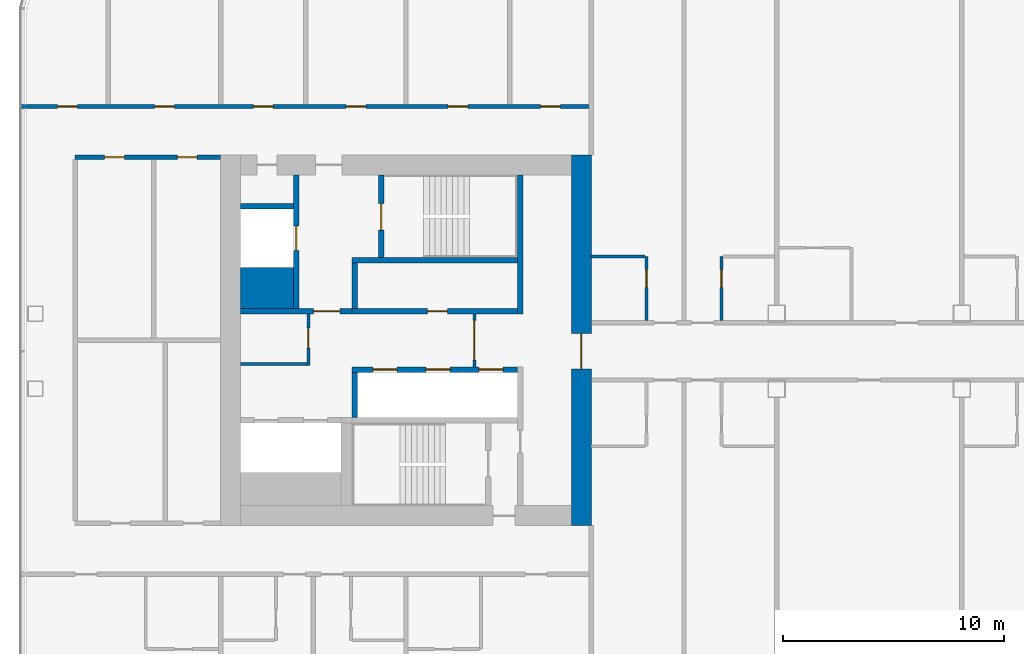
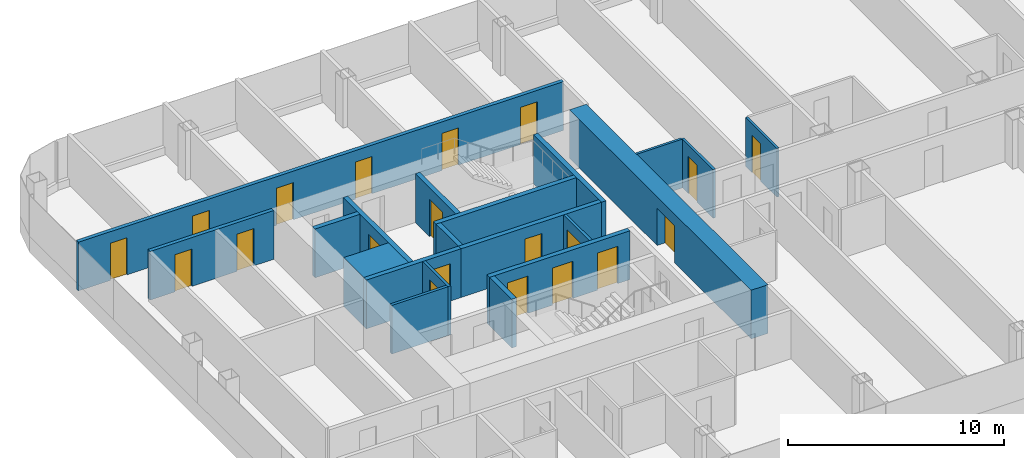
# One storey, part 13 of 26: 20 doors, 20 walls, 20 openings.
"""IFC4 building model written with IfcOpenShell, lengths in metres."""

from ifc_helpers import new_model, si_unit, direction, frame, frame_2d, origin, place, context, subcontext, project, spatial, rectangle, extrude, material, layer, layer_set, type_object, element, fill, save


model = new_model("IFC4")

# Units and contexts
model_context = context("Model", 3, precision=1e-05, world=origin(), true_north=direction((0.0, 1.0)))
body_context = subcontext(model_context, "Body", "Model", "MODEL_VIEW")
ifc_project = project(units=[si_unit("LENGTHUNIT", "METRE"), si_unit("AREAUNIT", "SQUARE_METRE"), si_unit("VOLUMEUNIT", "CUBIC_METRE"), si_unit("PLANEANGLEUNIT", "RADIAN"), si_unit("MASSUNIT", "GRAM", prefix="KILO")], contexts=[model_context])

# Site, building, storey
site_placement = place(None, origin())
site = spatial("IfcSite", under=ifc_project, at=site_placement, CompositionType="ELEMENT")
building_placement = place(site_placement, origin())
building = spatial("IfcBuilding", under=site, at=building_placement, Name="Hakoniwa Tower and Hamabe Station Hall", CompositionType="ELEMENT")
storey_placement = place(building_placement, frame((0.0, 0.0, 140.60009765625)))
storey = spatial("IfcBuildingStorey", under=building, at=storey_placement, Name="L39", CompositionType="ELEMENT", Elevation=140.60009765625)

# Wall
ifc_material_1 = material(Name="Gypsum board partition", Category="gypsum")
ifc_layer_1 = layer(ifc_material_1, 0.125)
ifc_layer_set_1 = layer_set([ifc_layer_1], Name="Bathroom Partition 125")
wall_type_1 = type_object("IfcWallType", Name="Bathroom Partition 125", PredefinedType="PARTITIONING", material=ifc_layer_set_1)
wall_1_placement = place(storey_placement, frame((-16.81005859375, 3.800048828125, 0.0), z_axis=(0.0, 0.0, 1.0), x_axis=(1.0, 0.0, 0.0)))
element("IfcWall", 1, at=wall_1_placement, inside=storey, type_object=wall_type_1, Name="GW-L39-023", PredefinedType="PARTITIONING", context=body_context, shape_type="SweptSolid", body=[
    extrude(rectangle(XDim=2.447509765625, YDim=0.125, at=frame_2d((1.2236328125, 0.0))), origin(), (0.0, 0.0, 1.0), 2.75),
])

# Wall, opening, door
wall_2_placement = place(storey_placement, frame((-14.300048828125, 0.89990234375, 0.0), z_axis=(0.0, 0.0, 1.0), x_axis=(0.0, 1.0, 0.0)))
wall_2 = element("IfcWall", 2, at=wall_2_placement, inside=storey, type_object=wall_type_1, Name="GW-L39-051", PredefinedType="PARTITIONING", context=body_context, shape_type="SweptSolid", body=[
    extrude(rectangle(XDim=2.900146484375, YDim=0.125, at=frame_2d((1.4501953125, 0.0))), origin(), (0.0, 0.0, 1.0), 2.75),
])
opening_1_placement = place(wall_2_placement, frame((1.5, 0.0, 0.0)))
opening_1 = element("IfcOpeningElement", 3, at=opening_1_placement, cuts=wall_2, Name="Opening GD-G3D0-47", PredefinedType="OPENING", context=body_context, shape_type="SweptSolid", body=[
    extrude(rectangle(XDim=0.800048828125, YDim=2.10009765625, at=frame_2d((0.39990234375, 1.050048828125))), frame((0.0, 0.072509765625, 0.0), z_axis=(0.0, -1.0, 0.0), x_axis=(1.0, 0.0, 0.0)), (0.0, 0.0, 1.0), 0.14501953125),
])
ifc_material_2 = material(Name="Timber door leaf", Category="wood")
door_type_1 = type_object("IfcDoorType", Name="Bathroom Door 800", OperationType="SINGLE_SWING_LEFT", PredefinedType="DOOR", material=ifc_material_2)
door_1_placement = place(opening_1_placement, origin())
door_1 = element("IfcDoor", 4, at=door_1_placement, inside=storey, type_object=door_type_1, Name="Door GD-G3D0-47", OperationType="SINGLE_SWING_LEFT", OverallHeight=2.10009765625, OverallWidth=0.800048828125, PredefinedType="DOOR", context=body_context, shape_type="SweptSolid", body=[
    extrude(rectangle(XDim=0.800048828125, YDim=2.10009765625, at=frame_2d((0.39990234375, 1.050048828125))), frame((0.0, 0.02490234375, 0.0), z_axis=(0.0, -1.0, 0.0), x_axis=(1.0, 0.0, 0.0)), (0.0, 0.0, 1.0), 0.050048828125),
])
fill(opening_1, door_1)

wall_3_placement = place(storey_placement, frame((-10.89990234375, 0.89990234375, 0.0), z_axis=(0.0, 0.0, 1.0), x_axis=(0.0, 1.0, 0.0)))
wall_3 = element("IfcWall", 5, at=wall_3_placement, inside=storey, type_object=wall_type_1, Name="GW-L39-055", PredefinedType="PARTITIONING", context=body_context, shape_type="SweptSolid", body=[
    extrude(rectangle(XDim=2.900146484375, YDim=0.125, at=frame_2d((1.4501953125, 0.0))), origin(), (0.0, 0.0, 1.0), 2.75),
])
opening_2_placement = place(wall_3_placement, frame((1.5, 0.0, 0.0)))
opening_2 = element("IfcOpeningElement", 6, at=opening_2_placement, cuts=wall_3, Name="Opening GD-G3D0-49", PredefinedType="OPENING", context=body_context, shape_type="SweptSolid", body=[
    extrude(rectangle(XDim=0.800048828125, YDim=2.10009765625, at=frame_2d((0.39990234375, 1.050048828125))), frame((0.0, 0.072509765625, 0.0), z_axis=(0.0, -1.0, 0.0), x_axis=(1.0, 0.0, 0.0)), (0.0, 0.0, 1.0), 0.14501953125),
])
door_2_placement = place(opening_2_placement, origin())
door_2 = element("IfcDoor", 7, at=door_2_placement, inside=storey, type_object=door_type_1, Name="Door GD-G3D0-49", OperationType="SINGLE_SWING_RIGHT", OverallHeight=2.10009765625, OverallWidth=0.800048828125, PredefinedType="DOOR", context=body_context, shape_type="SweptSolid", body=[
    extrude(rectangle(XDim=0.800048828125, YDim=2.10009765625, at=frame_2d((0.39990234375, 1.050048828125))), frame((0.0, 0.02490234375, 0.0), z_axis=(0.0, -1.0, 0.0), x_axis=(1.0, 0.0, 0.0)), (0.0, 0.0, 1.0), 0.050048828125),
])
fill(opening_2, door_2)

ifc_material_3 = material(Name="Gypsum board partition")
ifc_layer_2 = layer(ifc_material_3, 0.14990234375)
ifc_layer_set_2 = layer_set([ifc_layer_2], Name="CORE PARTITION 150 EI 60")
wall_type_2 = type_object("IfcWallType", Name="CORE PARTITION 150 EI 60", PredefinedType="PARTITIONING", material=ifc_layer_set_2)
wall_4_placement = place(storey_placement, frame((-22.10009765625, -1.199951171875, 0.0), z_axis=(0.0, 0.0, 1.0), x_axis=(0.0, 1.0, 0.0)))
wall_4 = element("IfcWall", 8, at=wall_4_placement, inside=storey, type_object=wall_type_2, Name="Core partition PL0 west", PredefinedType="PARTITIONING", context=body_context, shape_type="SweptSolid", body=[
    extrude(rectangle(XDim=2.39990234375, YDim=0.14990234375, at=frame_2d((1.199951171875, 0.0))), origin(), (0.0, 0.0, 1.0), 2.75),
])
opening_3_placement = place(wall_4_placement, frame((0.300048828125, 0.0, 0.0)))
opening_3 = element("IfcOpeningElement", 9, at=opening_3_placement, cuts=wall_4, Name="Opening CD-W-LP0-18", PredefinedType="OPENING", context=body_context, shape_type="SweptSolid", body=[
    extrude(rectangle(XDim=1.800048828125, YDim=2.10009765625, at=frame_2d((0.89990234375, 1.050048828125))), frame((0.0, 0.0849609375, 0.0), z_axis=(0.0, -1.0, 0.0), x_axis=(1.0, 0.0, 0.0)), (0.0, 0.0, 1.0), 0.169921875),
])
ifc_material_4 = material(Name="Steel fire door", Category="steel")
door_type_2 = type_object("IfcDoorType", Name="CORE DOOR 1800 FD60", OperationType="DOUBLE_DOOR_SINGLE_SWING", PredefinedType="DOOR", material=ifc_material_4)
door_3_placement = place(opening_3_placement, origin())
door_3 = element("IfcDoor", 10, at=door_3_placement, inside=storey, type_object=door_type_2, Name="Lift lobby partition door", OperationType="DOUBLE_DOOR_SINGLE_SWING", OverallHeight=2.10009765625, OverallWidth=1.800048828125, PredefinedType="DOOR", context=body_context, shape_type="SweptSolid", body=[
    extrude(rectangle(XDim=1.800048828125, YDim=2.10009765625, at=frame_2d((0.89990234375, 1.050048828125))), frame((0.0, 0.02490234375, 0.0), z_axis=(0.0, -1.0, 0.0), x_axis=(1.0, 0.0, 0.0)), (0.0, 0.0, 1.0), 0.050048828125),
])
fill(opening_3, door_3)

wall_5_placement = place(storey_placement, frame((-29.625, -1.14990234375, 0.0), z_axis=(0.0, 0.0, 1.0), x_axis=(0.0, 1.0, 0.0)))
wall_5 = element("IfcWall", 11, at=wall_5_placement, inside=storey, type_object=wall_type_2, Name="Core partition PW0 west", PredefinedType="PARTITIONING", context=body_context, shape_type="SweptSolid", body=[
    extrude(rectangle(XDim=2.349853515625, YDim=0.14990234375, at=frame_2d((1.1748046875, 0.0))), origin(), (0.0, 0.0, 1.0), 2.75),
])
opening_4_placement = place(wall_5_placement, frame((0.800048828125, 0.0, 0.0)))
opening_4 = element("IfcOpeningElement", 12, at=opening_4_placement, cuts=wall_5, Name="Opening CD-W-RM1-9", PredefinedType="OPENING", context=body_context, shape_type="SweptSolid", body=[
    extrude(rectangle(XDim=0.89990234375, YDim=2.10009765625, at=frame_2d((0.449951171875, 1.050048828125))), frame((0.0, 0.0849609375, 0.0), z_axis=(0.0, -1.0, 0.0), x_axis=(1.0, 0.0, 0.0)), (0.0, 0.0, 1.0), 0.169921875),
])
ifc_material_5 = material(Name="Steel fire door", Category="steel")
door_type_3 = type_object("IfcDoorType", Name="CORE DOOR 900 FD30", OperationType="NOTDEFINED", PredefinedType="DOOR", material=ifc_material_5)
door_4_placement = place(opening_4_placement, origin())
door_4 = element("IfcDoor", 13, at=door_4_placement, inside=storey, type_object=door_type_3, Name="Store room door", OperationType="SINGLE_SWING_LEFT", OverallHeight=2.10009765625, OverallWidth=0.89990234375, PredefinedType="DOOR", context=body_context, shape_type="SweptSolid", body=[
    extrude(rectangle(XDim=0.89990234375, YDim=2.10009765625, at=frame_2d((0.449951171875, 1.050048828125))), frame((0.0, 0.02490234375, 0.0), z_axis=(0.0, -1.0, 0.0), x_axis=(1.0, 0.0, 0.0)), (0.0, 0.0, 1.0), 0.050048828125),
])
fill(opening_4, door_4)

# Wall
wall_6_placement = place(storey_placement, frame((-32.699951171875, -1.074951171875, 0.0), z_axis=(0.0, 0.0, 1.0), x_axis=(1.0, 0.0, 0.0)))
element("IfcWall", 14, at=wall_6_placement, inside=storey, type_object=wall_type_2, Name="Core partition PS west", PredefinedType="PARTITIONING", context=body_context, shape_type="SweptSolid", body=[
    extrude(rectangle(XDim=3.0, YDim=0.14990234375, at=frame_2d((1.5, 0.0))), origin(), (0.0, 0.0, 1.0), 2.75),
])

# Wall, opening, door
ifc_material_6 = material(Name="Concrete C66", Category="concrete")
ifc_layer_3 = layer(ifc_material_6, 0.89990234375)
ifc_layer_set_3 = layer_set([ifc_layer_3], Name="CORE WALL 900 C66")
wall_type_3 = type_object("IfcWallType", Name="CORE WALL 900 C66", PredefinedType="SHEAR", material=ifc_layer_set_3)
wall_7_placement = place(storey_placement, frame((-17.25, -8.39990234375, 0.0), z_axis=(0.0, 0.0, 1.0), x_axis=(0.0, 1.0, 0.0)))
wall_7 = element("IfcWall", 15, at=wall_7_placement, inside=storey, type_object=wall_type_3, Name="Core wall INNER west", PredefinedType="SHEAR", context=body_context, shape_type="SweptSolid", body=[
    extrude(rectangle(XDim=16.7998046875, YDim=0.89990234375, at=frame_2d((8.39990234375, 0.0))), origin(), (0.0, 0.0, 1.0), 2.75),
])
opening_5_placement = place(wall_7_placement, frame((7.10009765625, 0.0, 0.0)))
opening_5 = element("IfcOpeningElement", 16, at=opening_5_placement, cuts=wall_7, Name="Opening CD-W-IN1-16", PredefinedType="OPENING", context=body_context, shape_type="SweptSolid", body=[
    extrude(rectangle(XDim=1.60009765625, YDim=2.10009765625, at=frame_2d((0.800048828125, 1.050048828125))), frame((0.0, 0.4599609375, 0.0), z_axis=(0.0, -1.0, 0.0), x_axis=(1.0, 0.0, 0.0)), (0.0, 0.0, 1.0), 0.919921875),
])
ifc_material_7 = material(Name="Steel fire door", Category="steel")
door_type_4 = type_object("IfcDoorType", Name="CORE DOOR 1600 FD60", OperationType="DOUBLE_DOOR_SINGLE_SWING", PredefinedType="DOOR", material=ifc_material_7)
door_5_placement = place(opening_5_placement, origin())
door_5 = element("IfcDoor", 17, at=door_5_placement, inside=storey, type_object=door_type_4, Name="Lift lobby door", OperationType="DOUBLE_DOOR_SINGLE_SWING", OverallHeight=2.10009765625, OverallWidth=1.60009765625, PredefinedType="DOOR", context=body_context, shape_type="SweptSolid", body=[
    extrude(rectangle(XDim=1.60009765625, YDim=2.10009765625, at=frame_2d((0.800048828125, 1.050048828125))), frame((0.0, 0.02490234375, 0.0), z_axis=(0.0, -1.0, 0.0), x_axis=(1.0, 0.0, 0.0)), (0.0, 0.0, 1.0), 0.050048828125),
])
fill(opening_5, door_5)

# Walls
ifc_material_8 = material(Name="Concrete C66", Category="concrete")
ifc_layer_4 = layer(ifc_material_8, 1.85009765625)
ifc_layer_set_4 = layer_set([ifc_layer_4], Name="CORE WEB WALL 1850 C66")
wall_type_4 = type_object("IfcWallType", Name="CORE WEB WALL 1850 C66", PredefinedType="SHEAR", material=ifc_layer_set_4)
wall_8_placement = place(storey_placement, frame((-32.699951171875, 2.375, 0.0), z_axis=(0.0, 0.0, 1.0), x_axis=(1.0, 0.0, 0.0)))
element("IfcWall", 18, at=wall_8_placement, inside=storey, type_object=wall_type_4, Name="Core wall CA west", PredefinedType="SHEAR", context=body_context, shape_type="SweptSolid", body=[
    extrude(rectangle(XDim=2.39990234375, YDim=1.85009765625, at=frame_2d((1.199951171875, 0.0))), origin(), (0.0, 0.0, 1.0), 2.75),
])
ifc_material_9 = material(Name="Concrete C66", Category="concrete")
ifc_layer_5 = layer(ifc_material_9, 0.25)
ifc_layer_set_5 = layer_set([ifc_layer_5], Name="CORE WEB WALL 250 C66")
wall_type_5 = type_object("IfcWallType", Name="CORE WEB WALL 250 C66", PredefinedType="SHEAR", material=ifc_layer_set_5)
wall_9_placement = place(storey_placement, frame((-20.02490234375, 1.199951171875, 0.0), z_axis=(0.0, 0.0, 1.0), x_axis=(0.0, 1.0, 0.0)))
element("IfcWall", 19, at=wall_9_placement, inside=storey, type_object=wall_type_5, Name="Core wall W1N west", PredefinedType="SHEAR", context=body_context, shape_type="SweptSolid", body=[
    extrude(rectangle(XDim=6.300048828125, YDim=0.25, at=frame_2d((3.14990234375, 0.0))), origin(), (0.0, 0.0, 1.0), 2.75),
])

# Wall, opening, door
wall_10_placement = place(storey_placement, frame((-27.64990234375, 1.324951171875, 0.0), z_axis=(0.0, 0.0, 1.0), x_axis=(1.0, 0.0, 0.0)))
wall_10 = element("IfcWall", 20, at=wall_10_placement, inside=storey, type_object=wall_type_5, Name="Core wall NF west", PredefinedType="SHEAR", context=body_context, shape_type="SweptSolid", body=[
    extrude(rectangle(XDim=7.5, YDim=0.25, at=frame_2d((3.75, 0.0))), origin(), (0.0, 0.0, 1.0), 2.75),
])
opening_6_placement = place(wall_10_placement, frame((3.425048828125, 0.0, 0.0)))
opening_6 = element("IfcOpeningElement", 21, at=opening_6_placement, cuts=wall_10, Name="Opening CD-W-FRLR0-9", PredefinedType="OPENING", context=body_context, shape_type="SweptSolid", body=[
    extrude(rectangle(XDim=0.89990234375, YDim=2.10009765625, at=frame_2d((0.449951171875, 1.050048828125))), frame((0.0, 0.135009765625, 0.0), z_axis=(0.0, -1.0, 0.0), x_axis=(1.0, 0.0, 0.0)), (0.0, 0.0, 1.0), 0.27001953125),
])
door_6_placement = place(opening_6_placement, origin())
door_6 = element("IfcDoor", 22, at=door_6_placement, inside=storey, type_object=door_type_3, Name="Store room door", OperationType="SINGLE_SWING_LEFT", OverallHeight=2.10009765625, OverallWidth=0.89990234375, PredefinedType="DOOR", context=body_context, shape_type="SweptSolid", body=[
    extrude(rectangle(XDim=0.89990234375, YDim=2.10009765625, at=frame_2d((0.449951171875, 1.050048828125))), frame((0.0, 0.02490234375, 0.0), z_axis=(0.0, -1.0, 0.0), x_axis=(1.0, 0.0, 0.0)), (0.0, 0.0, 1.0), 0.050048828125),
])
fill(opening_6, door_6)

# Walls
wall_11_placement = place(storey_placement, frame((-27.52490234375, 1.449951171875, 0.0), z_axis=(0.0, 0.0, 1.0), x_axis=(0.0, 1.0, 0.0)))
element("IfcWall", 23, at=wall_11_placement, inside=storey, type_object=wall_type_5, Name="Core wall NE west", PredefinedType="SHEAR", context=body_context, shape_type="SweptSolid", body=[
    extrude(rectangle(XDim=2.050048828125, YDim=0.25, at=frame_2d((1.02490234375, 0.0))), origin(), (0.0, 0.0, 1.0), 2.75),
])
wall_12_placement = place(storey_placement, frame((-27.64990234375, 3.625, 0.0), z_axis=(0.0, 0.0, 1.0), x_axis=(1.0, 0.0, 0.0)))
element("IfcWall", 24, at=wall_12_placement, inside=storey, type_object=wall_type_5, Name="Core wall NR west", PredefinedType="SHEAR", context=body_context, shape_type="SweptSolid", body=[
    extrude(rectangle(XDim=7.5, YDim=0.25, at=frame_2d((3.75, 0.0))), origin(), (0.0, 0.0, 1.0), 2.75),
])

# Wall, opening, door
wall_13_placement = place(storey_placement, frame((-26.324951171875, 3.75, 0.0), z_axis=(0.0, 0.0, 1.0), x_axis=(0.0, 1.0, 0.0)))
wall_13 = element("IfcWall", 25, at=wall_13_placement, inside=storey, type_object=wall_type_5, Name="Core wall NSE west", PredefinedType="SHEAR", context=body_context, shape_type="SweptSolid", body=[
    extrude(rectangle(XDim=3.75, YDim=0.25, at=frame_2d((1.875, 0.0))), origin(), (0.0, 0.0, 1.0), 2.75),
])
opening_7_placement = place(wall_13_placement, frame((1.25, 0.0, 0.0)))
opening_7 = element("IfcOpeningElement", 26, at=opening_7_placement, cuts=wall_13, Name="Opening CD-W-SN-12", PredefinedType="OPENING", context=body_context, shape_type="SweptSolid", body=[
    extrude(rectangle(XDim=1.199951171875, YDim=2.10009765625, at=frame_2d((0.60009765625, 1.050048828125))), frame((0.0, 0.135009765625, 0.0), z_axis=(0.0, -1.0, 0.0), x_axis=(1.0, 0.0, 0.0)), (0.0, 0.0, 1.0), 0.27001953125),
])
ifc_material_10 = material(Name="Steel fire door", Category="steel")
door_type_5 = type_object("IfcDoorType", Name="CORE DOOR 1200 FD60", OperationType="DOUBLE_DOOR_SINGLE_SWING", PredefinedType="DOOR", material=ifc_material_10)
door_7_placement = place(opening_7_placement, origin())
door_7 = element("IfcDoor", 27, at=door_7_placement, inside=storey, type_object=door_type_5, Name="Escape stair door", OperationType="DOUBLE_DOOR_SINGLE_SWING", OverallHeight=2.10009765625, OverallWidth=1.199951171875, PredefinedType="DOOR", context=body_context, shape_type="SweptSolid", body=[
    extrude(rectangle(XDim=1.199951171875, YDim=2.10009765625, at=frame_2d((0.60009765625, 1.050048828125))), frame((0.0, 0.02490234375, 0.0), z_axis=(0.0, -1.0, 0.0), x_axis=(1.0, 0.0, 0.0)), (0.0, 0.0, 1.0), 0.050048828125),
])
fill(opening_7, door_7)

wall_14_placement = place(storey_placement, frame((-32.699951171875, 1.324951171875, 0.0), z_axis=(0.0, 0.0, 1.0), x_axis=(1.0, 0.0, 0.0)))
wall_14 = element("IfcWall", 28, at=wall_14_placement, inside=storey, type_object=wall_type_5, Name="Core wall ELN west", PredefinedType="SHEAR", context=body_context, shape_type="SweptSolid", body=[
    extrude(rectangle(XDim=5.050048828125, YDim=0.25, at=frame_2d((2.52490234375, 0.0))), origin(), (0.0, 0.0, 1.0), 2.75),
])
opening_8_placement = place(wall_14_placement, frame((3.300048828125, 0.0, 0.0)))
opening_8 = element("IfcOpeningElement", 29, at=opening_8_placement, cuts=wall_14, Name="Opening CD-W-FL-12", PredefinedType="OPENING", context=body_context, shape_type="SweptSolid", body=[
    extrude(rectangle(XDim=1.199951171875, YDim=2.10009765625, at=frame_2d((0.60009765625, 1.050048828125))), frame((0.0, 0.135009765625, 0.0), z_axis=(0.0, -1.0, 0.0), x_axis=(1.0, 0.0, 0.0)), (0.0, 0.0, 1.0), 0.27001953125),
])
door_8_placement = place(opening_8_placement, origin())
door_8 = element("IfcDoor", 30, at=door_8_placement, inside=storey, type_object=door_type_5, Name="Stair vestibule door to the fire-fighting lobby", OperationType="DOUBLE_DOOR_SINGLE_SWING", OverallHeight=2.10009765625, OverallWidth=1.199951171875, PredefinedType="DOOR", context=body_context, shape_type="SweptSolid", body=[
    extrude(rectangle(XDim=1.199951171875, YDim=2.10009765625, at=frame_2d((0.60009765625, 1.050048828125))), frame((0.0, 0.02490234375, 0.0), z_axis=(0.0, -1.0, 0.0), x_axis=(1.0, 0.0, 0.0)), (0.0, 0.0, 1.0), 0.050048828125),
])
fill(opening_8, door_8)

wall_15_placement = place(storey_placement, frame((-30.175048828125, 1.449951171875, 0.0), z_axis=(0.0, 0.0, 1.0), x_axis=(0.0, 1.0, 0.0)))
wall_15 = element("IfcWall", 31, at=wall_15_placement, inside=storey, type_object=wall_type_5, Name="Core wall FFF west", PredefinedType="SHEAR", context=body_context, shape_type="SweptSolid", body=[
    extrude(rectangle(XDim=6.050048828125, YDim=0.25, at=frame_2d((3.02490234375, 0.0))), origin(), (0.0, 0.0, 1.0), 2.75),
])
opening_9_placement = place(wall_15_placement, frame((2.625, 0.0, 0.0)))
opening_9 = element("IfcOpeningElement", 32, at=opening_9_placement, cuts=wall_15, Name="Opening LD-FF1", PredefinedType="OPENING", context=body_context, shape_type="SweptSolid", body=[
    extrude(rectangle(XDim=1.10009765625, YDim=2.10009765625, at=frame_2d((0.550048828125, 1.050048828125))), frame((0.0, 0.135009765625, 0.0), z_axis=(0.0, -1.0, 0.0), x_axis=(1.0, 0.0, 0.0)), (0.0, 0.0, 1.0), 0.27001953125),
])
ifc_material_11 = material(Name="Stainless steel SUS304", Category="steel")
door_type_6 = type_object("IfcDoorType", Name="LIFT LANDING DOOR 1100 FD60", OperationType="DOUBLE_DOOR_SLIDING", PredefinedType="DOOR", material=ifc_material_11)
door_9_placement = place(opening_9_placement, origin())
door_9 = element("IfcDoor", 33, at=door_9_placement, inside=storey, type_object=door_type_6, Name="Lift landing door FF1 L39", OperationType="DOUBLE_DOOR_SLIDING", OverallHeight=2.10009765625, OverallWidth=1.10009765625, PredefinedType="DOOR", context=body_context, shape_type="SweptSolid", body=[
    extrude(rectangle(XDim=1.10009765625, YDim=2.10009765625, at=frame_2d((0.550048828125, 1.050048828125))), frame((0.0, 0.02490234375, 0.0), z_axis=(0.0, -1.0, 0.0), x_axis=(1.0, 0.0, 0.0)), (0.0, 0.0, 1.0), 0.050048828125),
])
fill(opening_9, door_9)

# Wall
wall_16_placement = place(storey_placement, frame((-32.699951171875, 6.074951171875, 0.0), z_axis=(0.0, 0.0, 1.0), x_axis=(1.0, 0.0, 0.0)))
element("IfcWall", 34, at=wall_16_placement, inside=storey, type_object=wall_type_5, Name="Core wall C2 west", PredefinedType="SHEAR", context=body_context, shape_type="SweptSolid", body=[
    extrude(rectangle(XDim=2.39990234375, YDim=0.25, at=frame_2d((1.199951171875, 0.0))), origin(), (0.0, 0.0, 1.0), 2.75),
])

# Wall, openings, doors
wall_17_placement = place(storey_placement, frame((-27.64990234375, -1.324951171875, 0.0), z_axis=(0.0, 0.0, 1.0), x_axis=(1.0, 0.0, 0.0)))
wall_17 = element("IfcWall", 35, at=wall_17_placement, inside=storey, type_object=wall_type_5, Name="Core wall SF west", PredefinedType="SHEAR", context=body_context, shape_type="SweptSolid", body=[
    extrude(rectangle(XDim=7.5, YDim=0.25, at=frame_2d((3.75, 0.0))), origin(), (0.0, 0.0, 1.0), 2.75),
])
opening_10_placement = place(wall_17_placement, frame((5.75, 0.0, 0.0)))
opening_10 = element("IfcOpeningElement", 36, at=opening_10_placement, cuts=wall_17, Name="Opening LD-HR1", PredefinedType="OPENING", context=body_context, shape_type="SweptSolid", body=[
    extrude(rectangle(XDim=1.10009765625, YDim=2.10009765625, at=frame_2d((0.550048828125, 1.050048828125))), frame((0.0, 0.135009765625, 0.0), z_axis=(0.0, -1.0, 0.0), x_axis=(1.0, 0.0, 0.0)), (0.0, 0.0, 1.0), 0.27001953125),
])
opening_11_placement = place(wall_17_placement, frame((3.35009765625, 0.0, 0.0)))
opening_11 = element("IfcOpeningElement", 37, at=opening_11_placement, cuts=wall_17, Name="Opening LD-HR2", PredefinedType="OPENING", context=body_context, shape_type="SweptSolid", body=[
    extrude(rectangle(XDim=1.10009765625, YDim=2.10009765625, at=frame_2d((0.550048828125, 1.050048828125))), frame((0.0, 0.135009765625, 0.0), z_axis=(0.0, -1.0, 0.0), x_axis=(1.0, 0.0, 0.0)), (0.0, 0.0, 1.0), 0.27001953125),
])
opening_12_placement = place(wall_17_placement, frame((0.949951171875, 0.0, 0.0)))
opening_12 = element("IfcOpeningElement", 38, at=opening_12_placement, cuts=wall_17, Name="Opening LD-HR3", PredefinedType="OPENING", context=body_context, shape_type="SweptSolid", body=[
    extrude(rectangle(XDim=1.10009765625, YDim=2.10009765625, at=frame_2d((0.550048828125, 1.050048828125))), frame((0.0, 0.135009765625, 0.0), z_axis=(0.0, -1.0, 0.0), x_axis=(1.0, 0.0, 0.0)), (0.0, 0.0, 1.0), 0.27001953125),
])
door_10_placement = place(opening_10_placement, origin())
door_10 = element("IfcDoor", 39, at=door_10_placement, inside=storey, type_object=door_type_6, Name="Lift landing door HR1 L39", OperationType="DOUBLE_DOOR_SLIDING", OverallHeight=2.10009765625, OverallWidth=1.10009765625, PredefinedType="DOOR", context=body_context, shape_type="SweptSolid", body=[
    extrude(rectangle(XDim=1.10009765625, YDim=2.10009765625, at=frame_2d((0.550048828125, 1.050048828125))), frame((0.0, 0.02490234375, 0.0), z_axis=(0.0, -1.0, 0.0), x_axis=(1.0, 0.0, 0.0)), (0.0, 0.0, 1.0), 0.050048828125),
])
fill(opening_10, door_10)
door_11_placement = place(opening_11_placement, origin())
door_11 = element("IfcDoor", 40, at=door_11_placement, inside=storey, type_object=door_type_6, Name="Lift landing door HR2 L39", OperationType="DOUBLE_DOOR_SLIDING", OverallHeight=2.10009765625, OverallWidth=1.10009765625, PredefinedType="DOOR", context=body_context, shape_type="SweptSolid", body=[
    extrude(rectangle(XDim=1.10009765625, YDim=2.10009765625, at=frame_2d((0.550048828125, 1.050048828125))), frame((0.0, 0.02490234375, 0.0), z_axis=(0.0, -1.0, 0.0), x_axis=(1.0, 0.0, 0.0)), (0.0, 0.0, 1.0), 0.050048828125),
])
fill(opening_11, door_11)
door_12_placement = place(opening_12_placement, origin())
door_12 = element("IfcDoor", 41, at=door_12_placement, inside=storey, type_object=door_type_6, Name="Lift landing door HR3 L39", OperationType="DOUBLE_DOOR_SLIDING", OverallHeight=2.10009765625, OverallWidth=1.10009765625, PredefinedType="DOOR", context=body_context, shape_type="SweptSolid", body=[
    extrude(rectangle(XDim=1.10009765625, YDim=2.10009765625, at=frame_2d((0.550048828125, 1.050048828125))), frame((0.0, 0.02490234375, 0.0), z_axis=(0.0, -1.0, 0.0), x_axis=(1.0, 0.0, 0.0)), (0.0, 0.0, 1.0), 0.050048828125),
])
fill(opening_12, door_12)

# Wall
wall_18_placement = place(storey_placement, frame((-27.52490234375, -3.5, 0.0), z_axis=(0.0, 0.0, 1.0), x_axis=(0.0, 1.0, 0.0)))
element("IfcWall", 42, at=wall_18_placement, inside=storey, type_object=wall_type_5, Name="Core wall SE west", PredefinedType="SHEAR", context=body_context, shape_type="SweptSolid", body=[
    extrude(rectangle(XDim=2.050048828125, YDim=0.25, at=frame_2d((1.02490234375, 0.0))), origin(), (0.0, 0.0, 1.0), 2.75),
])

# Wall, openings, doors
ifc_material_12 = material(Name="Fire-rated gypsum board partition", Category="gypsum")
ifc_layer_6 = layer(ifc_material_12, 0.199951171875)
ifc_layer_set_6 = layer_set([ifc_layer_6], Name="Corridor Wall 200")
wall_type_6 = type_object("IfcWallType", Name="Corridor Wall 200", PredefinedType="PARTITIONING", material=ifc_layer_set_6)
wall_19_placement = place(storey_placement, frame((-40.199951171875, 8.300048828125, 0.0), z_axis=(0.0, 0.0, 1.0), x_axis=(1.0, 0.0, 0.0)))
wall_19 = element("IfcWall", 43, at=wall_19_placement, inside=storey, type_object=wall_type_6, Name="GW-L39-029", PredefinedType="PARTITIONING", context=body_context, shape_type="SweptSolid", body=[
    extrude(rectangle(XDim=6.599853515625, YDim=0.199951171875, at=frame_2d((3.2998046875, 0.0))), origin(), (0.0, 0.0, 1.0), 2.75),
])
opening_13_placement = place(wall_19_placement, frame((1.330078125, 0.0, 0.0)))
opening_13 = element("IfcOpeningElement", 44, at=opening_13_placement, cuts=wall_19, Name="Opening GD-G3D0-31", PredefinedType="OPENING", context=body_context, shape_type="SweptSolid", body=[
    extrude(rectangle(XDim=0.89990234375, YDim=2.10009765625, at=frame_2d((0.449951171875, 1.050048828125))), frame((0.0, 0.10986328125, 0.0), z_axis=(0.0, -1.0, 0.0), x_axis=(1.0, 0.0, 0.0)), (0.0, 0.0, 1.0), 0.219970703125),
])
opening_14_placement = place(wall_19_placement, frame((4.6298828125, 0.0, 0.0)))
opening_14 = element("IfcOpeningElement", 45, at=opening_14_placement, cuts=wall_19, Name="Opening GD-G3D0-32", PredefinedType="OPENING", context=body_context, shape_type="SweptSolid", body=[
    extrude(rectangle(XDim=0.89990234375, YDim=2.10009765625, at=frame_2d((0.449951171875, 1.050048828125))), frame((0.0, 0.10986328125, 0.0), z_axis=(0.0, -1.0, 0.0), x_axis=(1.0, 0.0, 0.0)), (0.0, 0.0, 1.0), 0.219970703125),
])
ifc_material_13 = material(Name="Timber door leaf", Category="wood")
door_type_7 = type_object("IfcDoorType", Name="Service Door 900", OperationType="SINGLE_SWING_LEFT", PredefinedType="DOOR", material=ifc_material_13)
door_13_placement = place(opening_13_placement, origin())
door_13 = element("IfcDoor", 46, at=door_13_placement, inside=storey, type_object=door_type_7, Name="Door GD-G3D0-31", OperationType="SINGLE_SWING_RIGHT", OverallHeight=2.10009765625, OverallWidth=0.89990234375, PredefinedType="DOOR", context=body_context, shape_type="SweptSolid", body=[
    extrude(rectangle(XDim=0.89990234375, YDim=2.10009765625, at=frame_2d((0.449951171875, 1.050048828125))), frame((0.0, 0.02490234375, 0.0), z_axis=(0.0, -1.0, 0.0), x_axis=(1.0, 0.0, 0.0)), (0.0, 0.0, 1.0), 0.050048828125),
])
fill(opening_13, door_13)
door_14_placement = place(opening_14_placement, origin())
door_14 = element("IfcDoor", 47, at=door_14_placement, inside=storey, type_object=door_type_7, Name="Door GD-G3D0-32", OperationType="SINGLE_SWING_LEFT", OverallHeight=2.10009765625, OverallWidth=0.89990234375, PredefinedType="DOOR", context=body_context, shape_type="SweptSolid", body=[
    extrude(rectangle(XDim=0.89990234375, YDim=2.10009765625, at=frame_2d((0.449951171875, 1.050048828125))), frame((0.0, 0.02490234375, 0.0), z_axis=(0.0, -1.0, 0.0), x_axis=(1.0, 0.0, 0.0)), (0.0, 0.0, 1.0), 0.050048828125),
])
fill(opening_14, door_14)

wall_20_placement = place(storey_placement, frame((-42.699951171875, 10.60009765625, 0.0), z_axis=(0.0, 0.0, 1.0), x_axis=(1.0, 0.0, 0.0)))
wall_20 = element("IfcWall", 48, at=wall_20_placement, inside=storey, type_object=wall_type_6, Name="GW-L39-031", PredefinedType="PARTITIONING", context=body_context, shape_type="SweptSolid", body=[
    extrude(rectangle(XDim=25.89990234375, YDim=0.199951171875, at=frame_2d((12.949951171875, 0.0))), origin(), (0.0, 0.0, 1.0), 2.75),
])
opening_15_placement = place(wall_20_placement, frame((1.699951171875, 0.0, 0.0)))
opening_15 = element("IfcOpeningElement", 49, at=opening_15_placement, cuts=wall_20, Name="Opening GD-G3D0-35", PredefinedType="OPENING", context=body_context, shape_type="SweptSolid", body=[
    extrude(rectangle(XDim=0.89990234375, YDim=2.10009765625, at=frame_2d((0.449951171875, 1.050048828125))), frame((0.0, 0.10986328125, 0.0), z_axis=(0.0, -1.0, 0.0), x_axis=(1.0, 0.0, 0.0)), (0.0, 0.0, 1.0), 0.219970703125),
])
opening_16_placement = place(wall_20_placement, frame((6.10009765625, 0.0, 0.0)))
opening_16 = element("IfcOpeningElement", 50, at=opening_16_placement, cuts=wall_20, Name="Opening GD-G3D0-36", PredefinedType="OPENING", context=body_context, shape_type="SweptSolid", body=[
    extrude(rectangle(XDim=0.89990234375, YDim=2.10009765625, at=frame_2d((0.449951171875, 1.050048828125))), frame((0.0, 0.10986328125, 0.0), z_axis=(0.0, -1.0, 0.0), x_axis=(1.0, 0.0, 0.0)), (0.0, 0.0, 1.0), 0.219970703125),
])
opening_17_placement = place(wall_20_placement, frame((10.580078125, 0.0, 0.0)))
opening_17 = element("IfcOpeningElement", 51, at=opening_17_placement, cuts=wall_20, Name="Opening GD-G3D0-37", PredefinedType="OPENING", context=body_context, shape_type="SweptSolid", body=[
    extrude(rectangle(XDim=0.89990234375, YDim=2.10009765625, at=frame_2d((0.449951171875, 1.050048828125))), frame((0.0, 0.10986328125, 0.0), z_axis=(0.0, -1.0, 0.0), x_axis=(1.0, 0.0, 0.0)), (0.0, 0.0, 1.0), 0.219970703125),
])
opening_18_placement = place(wall_20_placement, frame((14.780029296875, 0.0, 0.0)))
opening_18 = element("IfcOpeningElement", 52, at=opening_18_placement, cuts=wall_20, Name="Opening GD-G3D0-38", PredefinedType="OPENING", context=body_context, shape_type="SweptSolid", body=[
    extrude(rectangle(XDim=0.89990234375, YDim=2.10009765625, at=frame_2d((0.449951171875, 1.050048828125))), frame((0.0, 0.10986328125, 0.0), z_axis=(0.0, -1.0, 0.0), x_axis=(1.0, 0.0, 0.0)), (0.0, 0.0, 1.0), 0.219970703125),
])
opening_19_placement = place(wall_20_placement, frame((19.39990234375, 0.0, 0.0)))
opening_19 = element("IfcOpeningElement", 53, at=opening_19_placement, cuts=wall_20, Name="Opening GD-G3D0-39", PredefinedType="OPENING", context=body_context, shape_type="SweptSolid", body=[
    extrude(rectangle(XDim=0.89990234375, YDim=2.10009765625, at=frame_2d((0.449951171875, 1.050048828125))), frame((0.0, 0.10986328125, 0.0), z_axis=(0.0, -1.0, 0.0), x_axis=(1.0, 0.0, 0.0)), (0.0, 0.0, 1.0), 0.219970703125),
])
opening_20_placement = place(wall_20_placement, frame((23.60009765625, 0.0, 0.0)))
opening_20 = element("IfcOpeningElement", 54, at=opening_20_placement, cuts=wall_20, Name="Opening GD-G3D0-40", PredefinedType="OPENING", context=body_context, shape_type="SweptSolid", body=[
    extrude(rectangle(XDim=0.89990234375, YDim=2.10009765625, at=frame_2d((0.449951171875, 1.050048828125))), frame((0.0, 0.10986328125, 0.0), z_axis=(0.0, -1.0, 0.0), x_axis=(1.0, 0.0, 0.0)), (0.0, 0.0, 1.0), 0.219970703125),
])
door_15_placement = place(opening_15_placement, origin())
door_15 = element("IfcDoor", 55, at=door_15_placement, inside=storey, type_object=door_type_7, Name="Door GD-G3D0-35", OperationType="SINGLE_SWING_LEFT", OverallHeight=2.10009765625, OverallWidth=0.89990234375, PredefinedType="DOOR", context=body_context, shape_type="SweptSolid", body=[
    extrude(rectangle(XDim=0.89990234375, YDim=2.10009765625, at=frame_2d((0.449951171875, 1.050048828125))), frame((0.0, 0.02490234375, 0.0), z_axis=(0.0, -1.0, 0.0), x_axis=(1.0, 0.0, 0.0)), (0.0, 0.0, 1.0), 0.050048828125),
])
fill(opening_15, door_15)
door_16_placement = place(opening_16_placement, origin())
door_16 = element("IfcDoor", 56, at=door_16_placement, inside=storey, type_object=door_type_7, Name="Door GD-G3D0-36", OperationType="SINGLE_SWING_RIGHT", OverallHeight=2.10009765625, OverallWidth=0.89990234375, PredefinedType="DOOR", context=body_context, shape_type="SweptSolid", body=[
    extrude(rectangle(XDim=0.89990234375, YDim=2.10009765625, at=frame_2d((0.449951171875, 1.050048828125))), frame((0.0, 0.02490234375, 0.0), z_axis=(0.0, -1.0, 0.0), x_axis=(1.0, 0.0, 0.0)), (0.0, 0.0, 1.0), 0.050048828125),
])
fill(opening_16, door_16)
door_17_placement = place(opening_17_placement, origin())
door_17 = element("IfcDoor", 57, at=door_17_placement, inside=storey, type_object=door_type_7, Name="Door GD-G3D0-37", OperationType="SINGLE_SWING_LEFT", OverallHeight=2.10009765625, OverallWidth=0.89990234375, PredefinedType="DOOR", context=body_context, shape_type="SweptSolid", body=[
    extrude(rectangle(XDim=0.89990234375, YDim=2.10009765625, at=frame_2d((0.449951171875, 1.050048828125))), frame((0.0, 0.02490234375, 0.0), z_axis=(0.0, -1.0, 0.0), x_axis=(1.0, 0.0, 0.0)), (0.0, 0.0, 1.0), 0.050048828125),
])
fill(opening_17, door_17)
door_18_placement = place(opening_18_placement, origin())
door_18 = element("IfcDoor", 58, at=door_18_placement, inside=storey, type_object=door_type_7, Name="Door GD-G3D0-38", OperationType="SINGLE_SWING_RIGHT", OverallHeight=2.10009765625, OverallWidth=0.89990234375, PredefinedType="DOOR", context=body_context, shape_type="SweptSolid", body=[
    extrude(rectangle(XDim=0.89990234375, YDim=2.10009765625, at=frame_2d((0.449951171875, 1.050048828125))), frame((0.0, 0.02490234375, 0.0), z_axis=(0.0, -1.0, 0.0), x_axis=(1.0, 0.0, 0.0)), (0.0, 0.0, 1.0), 0.050048828125),
])
fill(opening_18, door_18)
door_19_placement = place(opening_19_placement, origin())
door_19 = element("IfcDoor", 59, at=door_19_placement, inside=storey, type_object=door_type_7, Name="Door GD-G3D0-39", OperationType="SINGLE_SWING_LEFT", OverallHeight=2.10009765625, OverallWidth=0.89990234375, PredefinedType="DOOR", context=body_context, shape_type="SweptSolid", body=[
    extrude(rectangle(XDim=0.89990234375, YDim=2.10009765625, at=frame_2d((0.449951171875, 1.050048828125))), frame((0.0, 0.02490234375, 0.0), z_axis=(0.0, -1.0, 0.0), x_axis=(1.0, 0.0, 0.0)), (0.0, 0.0, 1.0), 0.050048828125),
])
fill(opening_19, door_19)
door_20_placement = place(opening_20_placement, origin())
door_20 = element("IfcDoor", 60, at=door_20_placement, inside=storey, type_object=door_type_7, Name="Door GD-G3D0-40", OperationType="SINGLE_SWING_LEFT", OverallHeight=2.10009765625, OverallWidth=0.89990234375, PredefinedType="DOOR", context=body_context, shape_type="SweptSolid", body=[
    extrude(rectangle(XDim=0.89990234375, YDim=2.10009765625, at=frame_2d((0.449951171875, 1.050048828125))), frame((0.0, 0.02490234375, 0.0), z_axis=(0.0, -1.0, 0.0), x_axis=(1.0, 0.0, 0.0)), (0.0, 0.0, 1.0), 0.050048828125),
])
fill(opening_20, door_20)

save(model, "model.ifc")
